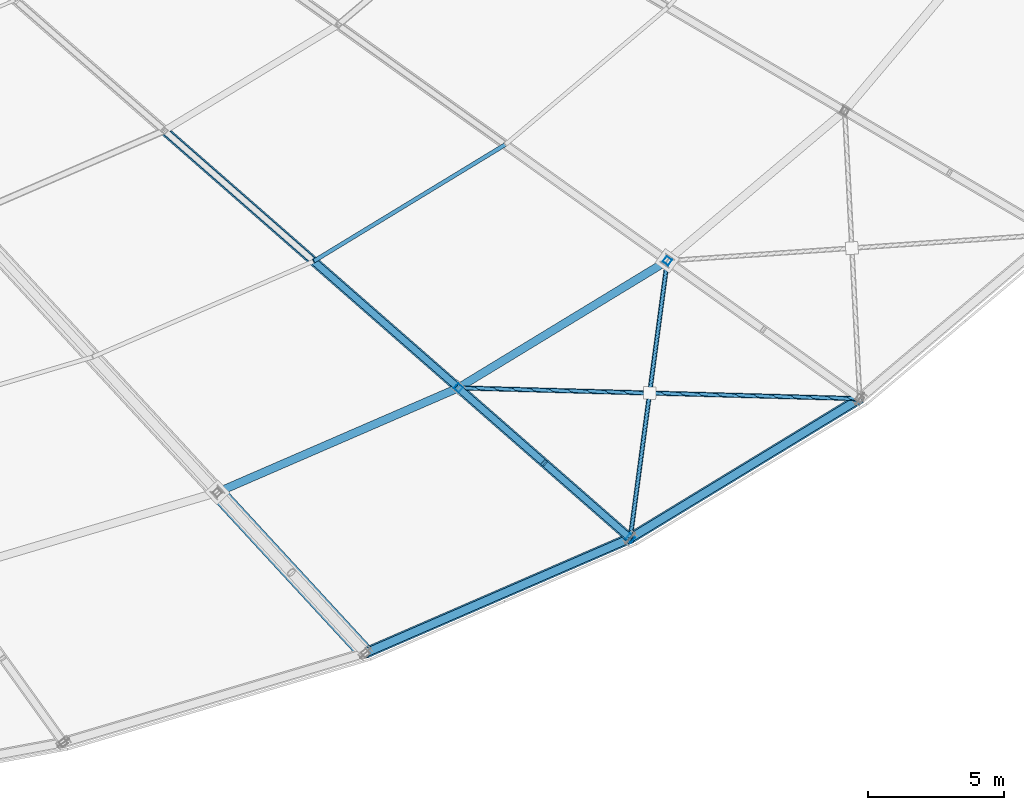
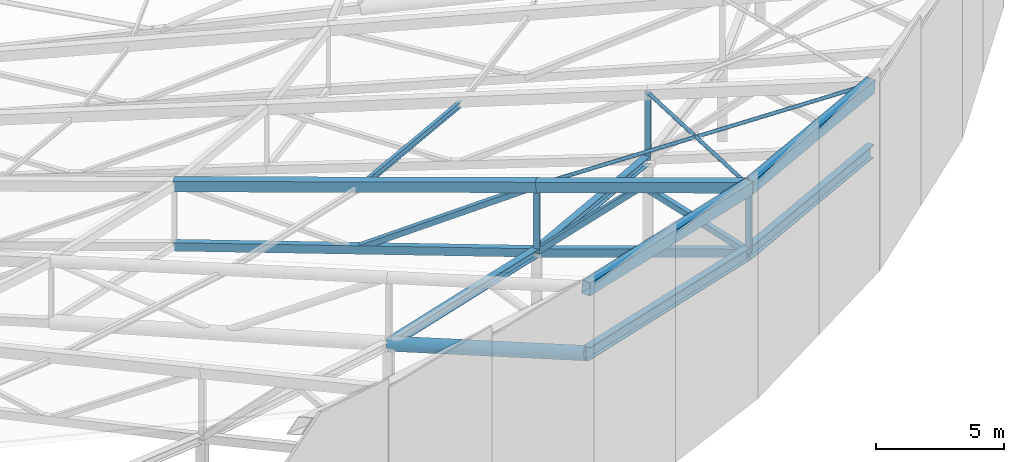
# One storey, part 61 of 143: 11 beams, 10 members.
"""IFC4 building model written with IfcOpenShell, lengths in metres."""

from ifc_helpers import new_model, si_unit, direction, frame, origin, origin_2d, place, context, subcontext, project, spatial, hollow_rectangle, hollow_circle, i_section, extrude, material, material_profile, profile_set, type_object, element, save


model = new_model("IFC4")

# Units and contexts
model_context = context("Model", 3, precision=1e-05, world=origin(), true_north=direction((0.0, 1.0)))
body_context = subcontext(model_context, "Body", "Model", "MODEL_VIEW")
ifc_project = project(units=[si_unit("LENGTHUNIT", "METRE"), si_unit("AREAUNIT", "SQUARE_METRE"), si_unit("VOLUMEUNIT", "CUBIC_METRE"), si_unit("PLANEANGLEUNIT", "RADIAN"), si_unit("MASSUNIT", "GRAM", prefix="KILO")], contexts=[model_context])

# Site, building, storey
site_placement = place(None, origin())
site = spatial("IfcSite", under=ifc_project, at=site_placement, CompositionType="ELEMENT")
building_placement = place(site_placement, origin())
building = spatial("IfcBuilding", under=site, at=building_placement, Name="Mphavela Belvedere Stadium", CompositionType="ELEMENT")
storey_placement = place(building_placement, frame((0.0, 0.0, 28.800048828125)))
storey = spatial("IfcBuildingStorey", under=building, at=storey_placement, Name="RF", CompositionType="ELEMENT", Elevation=28.800048828125)

# Beams
ifc_material_1 = material(Name="Steel S355", Category="steel")
ifc_material_profile_1 = material_profile(ifc_material_1, hollow_rectangle(XDim=0.39990234375, YDim=0.60009765625, WallThickness=0.02001953125, at=origin_2d()), Name="RHS 600x400x20")
ifc_profile_set_1 = profile_set([ifc_material_profile_1], Name="Steel S355")
beam_type_1 = type_object("IfcBeamType", Name="BM-RING-OUT", PredefinedType="BEAM", material=ifc_profile_set_1)
beam_1_placement = place(storey_placement, frame((175.9375, 20.90869140625, 11.2060546875), z_axis=(0.9121115164, 0.395403491348, -0.108206564865), x_axis=(-0.397738842004, 0.91749867224, 0.0)))
element("IfcBeam", 1, at=beam_1_placement, inside=storey, type_object=beam_type_1, Name="Perimeter compression ring beam RB-OUT-41", PredefinedType="BEAM", context=body_context, shape_type="SweptSolid", body=[
    extrude(hollow_rectangle(XDim=0.39990234375, YDim=0.60009765625, WallThickness=0.02001953125, at=origin_2d()), origin(), (0.0, 0.0, 1.0), 10.69921875),
])
beam_2_placement = place(storey_placement, frame((185.6962890625, 25.13916015625, 10.04833984375), z_axis=(0.847679486855, 0.515692686756, -0.124501166227), x_axis=(-0.51973651678, 0.854326607994, 0.0)))
element("IfcBeam", 2, at=beam_2_placement, inside=storey, type_object=beam_type_1, Name="Perimeter compression ring beam RB-OUT-42", PredefinedType="BEAM", context=body_context, shape_type="SweptSolid", body=[
    extrude(hollow_rectangle(XDim=0.39990234375, YDim=0.60009765625, WallThickness=0.02001953125, at=origin_2d()), origin(), (0.0, 0.0, 1.0), 9.979248046875),
])
ifc_material_2 = material(Name="Steel S355", Category="steel")
ifc_material_profile_2 = material_profile(ifc_material_2, i_section(OverallWidth=0.300048828125, OverallDepth=0.39990234375, WebThickness=0.013427734375, FlangeThickness=0.02392578125, at=origin_2d()), Name="HEB 400")
ifc_profile_set_2 = profile_set([ifc_material_profile_2], Name="Steel S355")
beam_type_2 = type_object("IfcBeamType", Name="BM-STEEL-HEB400", PredefinedType="BEAM", material=ifc_profile_set_2)
beam_3_placement = place(storey_placement, frame((170.476318359375, 26.83203125, 6.88623046875), z_axis=(0.912113994664, 0.395396453552, -0.108211391529), x_axis=(-0.397731972832, 0.917501650019, 0.0)))
element("IfcBeam", 3, at=beam_3_placement, inside=storey, type_object=beam_type_2, Name="Roof bottom-chord tie girder R3-41", PredefinedType="BEAM", context=body_context, shape_type="SweptSolid", body=[
    extrude(i_section(OverallWidth=0.300048828125, OverallDepth=0.39990234375, WebThickness=0.013427734375, FlangeThickness=0.02392578125, at=origin_2d()), origin(), (0.0, 0.0, 1.0), 9.73974609375),
])
beam_4_placement = place(storey_placement, frame((179.360107421875, 30.68310546875, 5.832275390625), z_axis=(0.847668189677, 0.5157113945, -0.124500593545), x_axis=(-0.519755333579, 0.854315160357, 0.0)))
element("IfcBeam", 4, at=beam_4_placement, inside=storey, type_object=beam_type_2, Name="Roof bottom-chord tie girder R3-42", PredefinedType="BEAM", context=body_context, shape_type="SweptSolid", body=[
    extrude(i_section(OverallWidth=0.300048828125, OverallDepth=0.39990234375, WebThickness=0.013427734375, FlangeThickness=0.02392578125, at=origin_2d()), origin(), (0.0, 0.0, 1.0), 9.085205078125),
])
ifc_material_3 = material(Name="Steel S355", Category="steel")
ifc_material_profile_3 = material_profile(ifc_material_3, i_section(OverallWidth=0.300048828125, OverallDepth=0.60009765625, WebThickness=0.015380859375, FlangeThickness=0.030029296875, at=origin_2d()), Name="HEB 600")
ifc_profile_set_3 = profile_set([ifc_material_profile_3], Name="Steel S355")
beam_type_3 = type_object("IfcBeamType", Name="BM-STEEL-HEB600", PredefinedType="BEAM", material=ifc_profile_set_3)
beam_5_placement = place(storey_placement, frame((175.9375, 20.90869140625, 8.11083984375), z_axis=(0.912113768302, 0.395404467556, -0.108184013197), x_axis=(-0.397738842004, 0.91749867224, 0.0)))
element("IfcBeam", 5, at=beam_5_placement, inside=storey, type_object=beam_type_3, Name="Roof bottom-chord tie girder R4-41", PredefinedType="BEAM", context=body_context, shape_type="SweptSolid", body=[
    extrude(i_section(OverallWidth=0.300048828125, OverallDepth=0.60009765625, WebThickness=0.015380859375, FlangeThickness=0.030029296875, at=origin_2d()), origin(), (0.0, 0.0, 1.0), 10.698974609375),
])
beam_6_placement = place(storey_placement, frame((185.6962890625, 25.13916015625, 6.953369140625), z_axis=(0.847679486855, 0.515692686756, -0.124501166227), x_axis=(-0.51973651678, 0.854326607994, 0.0)))
element("IfcBeam", 6, at=beam_6_placement, inside=storey, type_object=beam_type_3, Name="Roof bottom-chord tie girder R4-42", PredefinedType="BEAM", context=body_context, shape_type="SweptSolid", body=[
    extrude(i_section(OverallWidth=0.300048828125, OverallDepth=0.60009765625, WebThickness=0.015380859375, FlangeThickness=0.030029296875, at=origin_2d()), origin(), (0.0, 0.0, 1.0), 9.979248046875),
])
ifc_material_4 = material(Name="Steel S355", Category="steel")
ifc_material_profile_4 = material_profile(ifc_material_4, hollow_circle(Radius=0.304931640625, WallThickness=0.02490234375, at=origin_2d()), Name="CHS 610x25")
ifc_profile_set_4 = profile_set([ifc_material_profile_4], Name="Steel S355")
beam_type_4 = type_object("IfcBeamType", Name="BM-TRUSS-BC1", PredefinedType="BEAM", material=ifc_profile_set_4)
beam_7_placement = place(storey_placement, frame((175.9375, 20.90869140625, 8.11083984375), z_axis=(-0.670146051541, 0.726857861437, -0.150272814812), x_axis=(-0.735206448532, -0.67784325477, 0.0)))
element("IfcBeam", 7, at=beam_7_placement, inside=storey, type_object=beam_type_4, Name="Radial roof truss RT-41 bottom chord 1", PredefinedType="BEAM", context=body_context, shape_type="SweptSolid", body=[
    extrude(hollow_circle(Radius=0.304931640625, WallThickness=0.02490234375, at=origin_2d()), origin(), (0.0, 0.0, 1.0), 8.149169921875),
])
ifc_material_5 = material(Name="Steel S355", Category="steel")
ifc_material_profile_5 = material_profile(ifc_material_5, hollow_rectangle(XDim=0.25, YDim=0.39990234375, WallThickness=0.01611328125, at=origin_2d()), Name="RHS 400x250x16")
ifc_profile_set_5 = profile_set([ifc_material_profile_5], Name="Steel S355")
beam_type_5 = type_object("IfcBeamType", Name="BM-TRUSS-BC2", PredefinedType="BEAM", material=ifc_profile_set_5)
beam_8_placement = place(storey_placement, frame((185.6962890625, 25.13916015625, 6.953369140625), z_axis=(-0.746004453664, 0.652728745571, -0.131994468895), x_axis=(-0.658490236978, -0.752589268993, 0.0)))
element("IfcBeam", 8, at=beam_8_placement, inside=storey, type_object=beam_type_5, Name="Radial roof truss RT-42 bottom chord 1", PredefinedType="BEAM", context=body_context, shape_type="SweptSolid", body=[
    extrude(hollow_rectangle(XDim=0.25, YDim=0.39990234375, WallThickness=0.01611328125, at=origin_2d()), origin(), (0.0, 0.0, 1.0), 8.493408203125),
])
beam_9_placement = place(storey_placement, frame((179.360107421875, 30.68310546875, 5.832275390625), z_axis=(-0.747566278438, 0.654152069556, -0.115020560063), x_axis=(-0.658522610874, -0.752560941697, 0.0)))
element("IfcBeam", 9, at=beam_9_placement, inside=storey, type_object=beam_type_5, Name="Radial roof truss RT-42 bottom chord 2", PredefinedType="BEAM", context=body_context, shape_type="SweptSolid", body=[
    extrude(hollow_rectangle(XDim=0.25, YDim=0.39990234375, WallThickness=0.01611328125, at=origin_2d()), origin(), (0.0, 0.0, 1.0), 14.497314453125),
])
ifc_material_6 = material(Name="Steel S355", Category="steel")
ifc_material_profile_6 = material_profile(ifc_material_6, hollow_rectangle(XDim=0.35009765625, YDim=0.5, WallThickness=0.02001953125, at=origin_2d()), Name="RHS 500x350x20")
ifc_profile_set_6 = profile_set([ifc_material_profile_6], Name="Steel S355")
beam_type_6 = type_object("IfcBeamType", Name="BM-TRUSS-TC2", PredefinedType="BEAM", material=ifc_profile_set_6)
beam_10_placement = place(storey_placement, frame((185.6962890625, 25.13916015625, 10.103271484375), z_axis=(-0.746004453664, 0.652728745571, -0.131994468895), x_axis=(-0.658490236978, -0.752589268993, 0.0)))
element("IfcBeam", 10, at=beam_10_placement, inside=storey, type_object=beam_type_6, Name="Radial roof truss RT-42 top chord 1", PredefinedType="BEAM", context=body_context, shape_type="SweptSolid", body=[
    extrude(hollow_rectangle(XDim=0.35009765625, YDim=0.5, WallThickness=0.02001953125, at=origin_2d()), origin(), (0.0, 0.0, 1.0), 8.493408203125),
])
beam_11_placement = place(storey_placement, frame((179.360107421875, 30.68310546875, 8.982177734375), z_axis=(-0.745977412319, 0.65276174459, -0.131984109309), x_axis=(-0.658522610874, -0.752560941697, 0.0)))
element("IfcBeam", 11, at=beam_11_placement, inside=storey, type_object=beam_type_6, Name="Radial roof truss RT-42 top chord 2", PredefinedType="BEAM", context=body_context, shape_type="SweptSolid", body=[
    extrude(hollow_rectangle(XDim=0.35009765625, YDim=0.5, WallThickness=0.02001953125, at=origin_2d()), origin(), (0.0, 0.0, 1.0), 14.528076171875),
])

# Members
ifc_material_7 = material(Name="Steel S355", Category="steel")
ifc_material_profile_7 = material_profile(ifc_material_7, hollow_rectangle(XDim=0.25, YDim=0.25, WallThickness=0.012451171875, at=origin_2d()), Name="SHS 250x250x12.5")
ifc_profile_set_7 = profile_set([ifc_material_profile_7], Name="Steel S355")
member_type_1 = type_object("IfcMemberType", Name="MEM-POST-SHS250", PredefinedType="POST", material=ifc_profile_set_7)
for number, where, z_axis, x_axis, name in (
    (12, (185.6962890625, 25.13916015625, 6.953369140625), (0.0, 0.0, 1.0), (0.752529860433, -0.658558128912, 0.0), "Radial roof truss RT-42 post P1"),
    (13, (179.360107421875, 30.68310546875, 5.832275390625), (0.0, 0.0, 1.0), (0.752529860433, -0.658558128912, 0.0), "Radial roof truss RT-42 post P2"),
):
    element("IfcMember", number, at=place(storey_placement, frame(where, z_axis=z_axis, x_axis=x_axis)), inside=storey, type_object=member_type_1, Name=name, PredefinedType="POST", context=body_context, shape_type="SweptSolid", body=[
        extrude(hollow_rectangle(XDim=0.25, YDim=0.25, WallThickness=0.012451171875, at=origin_2d()), origin(), (0.0, 0.0, 1.0), 3.14990234375),
    ])
member_1_placement = place(storey_placement, frame((185.6962890625, 25.13916015625, 6.953369140625), z_axis=(-0.641013210253, 0.560886558971, 0.523935427554), x_axis=(-0.658504607869, -0.752576694707, 0.0)))
element("IfcMember", 14, at=member_1_placement, inside=storey, type_object=member_type_1, Name="Radial roof truss RT-42 web diagonal D1", PredefinedType="POST", context=body_context, shape_type="SweptSolid", body=[
    extrude(hollow_rectangle(XDim=0.25, YDim=0.25, WallThickness=0.012451171875, at=origin_2d()), origin(), (0.0, 0.0, 1.0), 4.942138671875),
])
member_2_placement = place(storey_placement, frame((182.5283203125, 27.9111328125, 9.542724609375), z_axis=(-0.564593708494, 0.49398142608, -0.661223332179), x_axis=(-0.658475866476, -0.752601842457, 0.0)))
element("IfcMember", 15, at=member_2_placement, inside=storey, type_object=member_type_1, Name="Radial roof truss RT-42 web diagonal D2", PredefinedType="POST", context=body_context, shape_type="SweptSolid", body=[
    extrude(hollow_rectangle(XDim=0.25, YDim=0.25, WallThickness=0.012451171875, at=origin_2d()), origin(), (0.0, 0.0, 1.0), 5.611572265625),
])
member_3_placement = place(storey_placement, frame((179.360107421875, 30.68310546875, 8.982177734375), z_axis=(-0.658493272583, 0.576222407754, -0.484101587237), x_axis=(-0.658531012484, -0.752553589851, 0.0)))
element("IfcMember", 16, at=member_3_placement, inside=storey, type_object=member_type_1, Name="Radial roof truss RT-42 web diagonal D3", PredefinedType="POST", context=body_context, shape_type="SweptSolid", body=[
    extrude(hollow_rectangle(XDim=0.25, YDim=0.25, WallThickness=0.012451171875, at=origin_2d()), origin(), (0.0, 0.0, 1.0), 8.22900390625),
])
member_4_placement = place(storey_placement, frame((187.061279296875, 35.368408203125, 4.701171875), z_axis=(0.0, 0.0, 1.0), x_axis=(0.812897512265, -0.582406760395, 0.0)))
element("IfcMember", 17, at=member_4_placement, inside=storey, type_object=member_type_1, Name="Radial roof truss RT-43 post P2", PredefinedType="POST", context=body_context, shape_type="SweptSolid", body=[
    extrude(hollow_rectangle(XDim=0.25, YDim=0.25, WallThickness=0.012451171875, at=origin_2d()), origin(), (0.0, 0.0, 1.0), 3.150146484375),
])
ifc_material_8 = material(Name="Steel S355", Category="steel")
ifc_material_profile_8 = material_profile(ifc_material_8, i_section(OverallWidth=0.14990234375, OverallDepth=0.300048828125, WebThickness=0.007080078125, FlangeThickness=0.0107421875, at=origin_2d()), Name="IPE 300")
ifc_profile_set_8 = profile_set([ifc_material_profile_8], Name="Steel S355")
member_type_2 = type_object("IfcMemberType", Name="MEM-PURLIN-IPE300", PredefinedType="PURLIN", material=ifc_profile_set_8)
member_5_placement = place(storey_placement, frame((174.024658203125, 35.35205078125, 7.84814453125), z_axis=(0.847684683893, 0.515690233048, -0.124475942382), x_axis=(-0.519732386137, 0.85432912089, 0.0)))
element("IfcMember", 18, at=member_5_placement, inside=storey, type_object=member_type_2, Name="Saddle canopy steel purlin 42-2", PredefinedType="PURLIN", context=body_context, shape_type="SweptSolid", body=[
    extrude(i_section(OverallWidth=0.14990234375, OverallDepth=0.300048828125, WebThickness=0.007080078125, FlangeThickness=0.0107421875, at=origin_2d()), origin(), (0.0, 0.0, 1.0), 8.331787109375),
])
ifc_material_9 = material(Name="Steel S355", Category="steel")
ifc_material_profile_9 = material_profile(ifc_material_9, hollow_circle(Radius=0.084228515625, WallThickness=0.010009765625, at=origin_2d()), Name="CHS 168.3x10")
ifc_profile_set_9 = profile_set([ifc_material_profile_9], Name="Steel S355")
member_type_3 = type_object("IfcMemberType", Name="MEM-ROOF-XBRACE", PredefinedType="BRACE", material=ifc_profile_set_9)
member_6_placement = place(storey_placement, frame((179.360107421875, 30.68310546875, 8.982177734375), z_axis=(0.999605329873, -0.026869692128, -0.008197812761), x_axis=(0.026870595051, 0.999638920372, 0.0)))
element("IfcMember", 19, at=member_6_placement, inside=storey, type_object=member_type_3, Name="Roof diaphragm continuous X-brace A 42", PredefinedType="BRACE", context=body_context, shape_type="SweptSolid", body=[
    extrude(hollow_circle(Radius=0.084228515625, WallThickness=0.010009765625, at=origin_2d()), origin(), (0.0, 0.0, 1.0), 14.80126953125),
])
member_7_placement = place(storey_placement, frame((185.6962890625, 25.13916015625, 10.103271484375), z_axis=(0.129244122626, 0.968425725123, -0.213184360792), x_axis=(-0.991211709971, 0.132285093703, 0.0)))
element("IfcMember", 20, at=member_7_placement, inside=storey, type_object=member_type_3, Name="Roof diaphragm split X-brace B1 42", PredefinedType="BRACE", context=body_context, shape_type="SweptSolid", body=[
    extrude(hollow_circle(Radius=0.084228515625, WallThickness=0.010009765625, at=origin_2d()), origin(), (0.0, 0.0, 1.0), 5.529052734375),
])
member_8_placement = place(storey_placement, frame((186.410888671875, 30.49365234375, 8.924560546875), z_axis=(0.129207355323, 0.968424648546, -0.213211536786), x_axis=(-0.991216624489, 0.132248264018, 0.0)))
element("IfcMember", 21, at=member_8_placement, inside=storey, type_object=member_type_3, Name="Roof diaphragm split X-brace B2 42", PredefinedType="BRACE", context=body_context, shape_type="SweptSolid", body=[
    extrude(hollow_circle(Radius=0.084228515625, WallThickness=0.010009765625, at=origin_2d()), origin(), (0.0, 0.0, 1.0), 5.03369140625),
])

save(model, "model.ifc")
